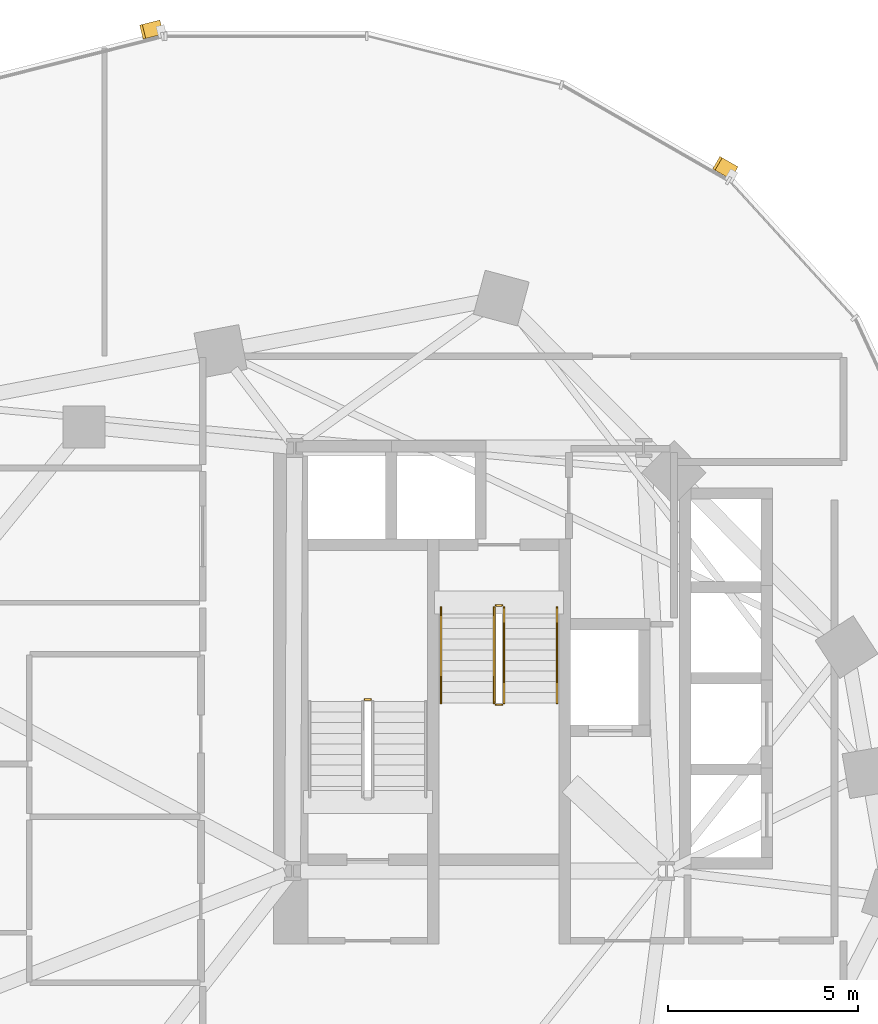
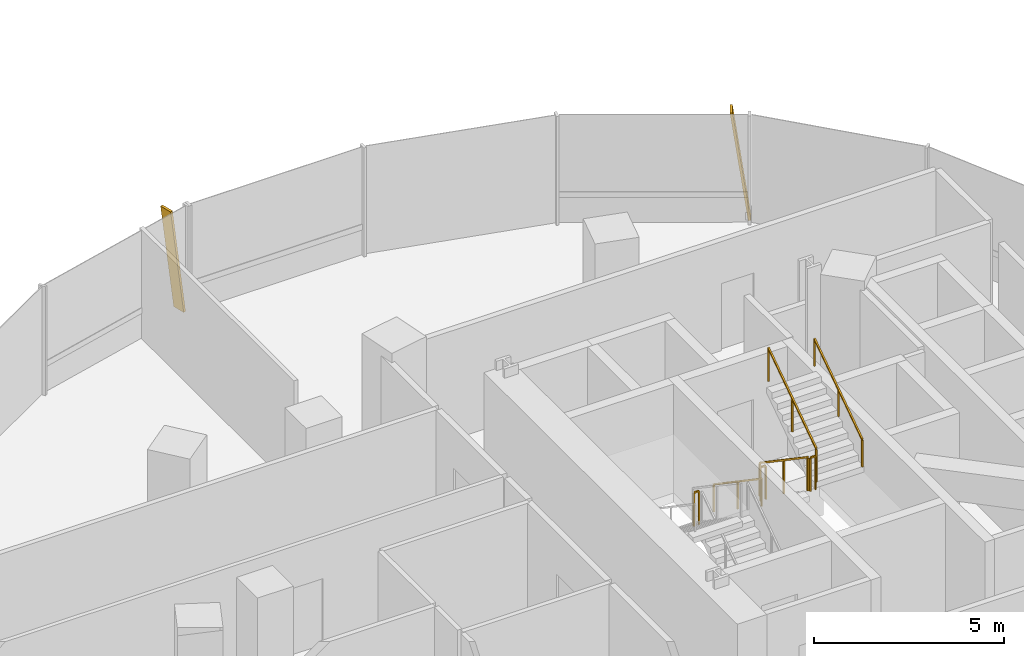
# One storey, part 19 of 21: 7 railings, 2 shading devices.
"""IFC4 building model written with IfcOpenShell, lengths in metres."""

from ifc_helpers import new_model, si_unit, direction, frame, origin, origin_2d, place, context, subcontext, project, spatial, rectangle, extrude, material, material_profile, profile_set, type_object, element, save


model = new_model("IFC4")

# Units and contexts
model_context = context("Model", 3, precision=1e-05, world=origin(), true_north=direction((0.0, 1.0)))
body_context = subcontext(model_context, "Body", "Model", "MODEL_VIEW")
ifc_project = project(units=[si_unit("LENGTHUNIT", "METRE"), si_unit("AREAUNIT", "SQUARE_METRE"), si_unit("VOLUMEUNIT", "CUBIC_METRE"), si_unit("PLANEANGLEUNIT", "RADIAN"), si_unit("MASSUNIT", "GRAM", prefix="KILO"), si_unit("THERMODYNAMICTEMPERATUREUNIT", "KELVIN"), si_unit("POWERUNIT", "WATT")], contexts=[model_context])

# Site, building, storey
site_placement = place(None, origin())
site = spatial("IfcSite", under=ifc_project, at=site_placement, CompositionType="ELEMENT")
building_placement = place(site_placement, origin())
building = spatial("IfcBuilding", under=site, at=building_placement, Name="Cundina Bronze Exchange", CompositionType="ELEMENT")
storey_placement = place(building_placement, frame((0.0, 0.0, 27.800048828125)))
storey = spatial("IfcBuildingStorey", under=building, at=storey_placement, Name="L06", CompositionType="ELEMENT", Elevation=27.800048828125)

# Railings
ifc_material_1 = material(Name="Steel ASTM A36 Painted", Category="steel")
railing_type_1 = type_object("IfcRailingType", Name="RLG-HND-900", PredefinedType="HANDRAIL", material=ifc_material_1)
railing_1_placement = place(storey_placement, frame((-27.389892578125, 10.85009765625, 0.18994140625)))
element("IfcRailing", 1, at=railing_1_placement, inside=storey, type_object=railing_type_1, Name="L06 ST-W2 stair handrail 1", PredefinedType="HANDRAIL", context=body_context, shape_type="SweptSolid", body=[
    extrude(rectangle(XDim=0.048095703125, YDim=0.048095703125, at=origin_2d()), frame((0.0, 0.0, 0.8759765625), z_axis=(0.0, -0.827483756001, 0.561489655786), x_axis=(1.0, 0.0, 0.0)), (0.0, 0.0, 1.0), 3.04541015625),
    extrude(rectangle(XDim=0.0419921875, YDim=0.0419921875, at=origin_2d()), origin(), (0.0, 0.0, 1.0), 0.851806640625),
    extrude(rectangle(XDim=0.0419921875, YDim=0.0419921875, at=origin_2d()), frame((0.0, -1.260009765625, 0.85498046875)), (0.0, 0.0, 1.0), 0.851806640625),
    extrude(rectangle(XDim=0.0419921875, YDim=0.0419921875, at=origin_2d()), frame((0.0, -2.52001953125, 1.7099609375)), (0.0, 0.0, 1.0), 0.851806640625),
])
railing_2_placement = place(storey_placement, frame((-24.330078125, 8.330078125, 2.08984375)))
element("IfcRailing", 2, at=railing_2_placement, inside=storey, type_object=railing_type_1, Name="L06 ST-W2 stair handrail 2", PredefinedType="HANDRAIL", context=body_context, shape_type="SweptSolid", body=[
    extrude(rectangle(XDim=0.048095703125, YDim=0.048095703125, at=origin_2d()), frame((0.0, 0.0, 0.8759765625), z_axis=(0.0, 0.82744650838, 0.561544544778), x_axis=(-1.0, 0.0, 0.0)), (0.0, 0.0, 1.0), 3.045654296875),
    extrude(rectangle(XDim=0.0419921875, YDim=0.0419921875, at=origin_2d()), origin(), (0.0, 0.0, 1.0), 0.851806640625),
    extrude(rectangle(XDim=0.0419921875, YDim=0.0419921875, at=origin_2d()), frame((0.0, 1.260009765625, 0.85498046875)), (0.0, 0.0, 1.0), 0.851806640625),
    extrude(rectangle(XDim=0.0419921875, YDim=0.0419921875, at=origin_2d()), frame((0.0, 2.52001953125, 1.710205078125)), (0.0, 0.0, 1.0), 0.851806640625),
])
railing_type_2 = type_object("IfcRailingType", Name="RLG-STG-1100", PredefinedType="GUARDRAIL", material=ifc_material_1)
railing_3_placement = place(storey_placement, frame((-29.239990234375, 8.419921875, 1.89990234375)))
element("IfcRailing", 3, at=railing_3_placement, inside=storey, type_object=railing_type_2, Name="L06 ST-W1 stair guard 2", PredefinedType="GUARDRAIL", context=body_context, shape_type="SweptSolid", body=[
    extrude(rectangle(XDim=0.048095703125, YDim=0.048095703125, at=origin_2d()), frame((0.0, 0.0, 1.076171875), z_axis=(-1.0, 0.0, 0.0), x_axis=(0.0, -1.0, 0.0)), (0.0, 0.0, 1.0), 0.159912109375),
    extrude(rectangle(XDim=0.0419921875, YDim=0.0419921875, at=origin_2d()), origin(), (0.0, 0.0, 1.0), 1.052001953125),
    extrude(rectangle(XDim=0.0419921875, YDim=0.0419921875, at=origin_2d()), frame((-0.159912109375, 0.0, 0.0)), (0.0, 0.0, 1.0), 1.052001953125),
])
railing_4_placement = place(storey_placement, frame((-25.989990234375, 10.85009765625, 0.18994140625)))
element("IfcRailing", 4, at=railing_4_placement, inside=storey, type_object=railing_type_2, Name="L06 ST-W2 stair guard 1", PredefinedType="GUARDRAIL", context=body_context, shape_type="SweptSolid", body=[
    extrude(rectangle(XDim=0.048095703125, YDim=0.048095703125, at=origin_2d()), frame((0.0, 0.0, 1.076171875), z_axis=(0.0, -0.827483756001, 0.561489655786), x_axis=(1.0, 0.0, 0.0)), (0.0, 0.0, 1.0), 3.04541015625),
    extrude(rectangle(XDim=0.0419921875, YDim=0.0419921875, at=origin_2d()), origin(), (0.0, 0.0, 1.0), 1.052001953125),
    extrude(rectangle(XDim=0.0419921875, YDim=0.0419921875, at=origin_2d()), frame((0.0, -1.260009765625, 0.85498046875)), (0.0, 0.0, 1.0), 1.052001953125),
    extrude(rectangle(XDim=0.0419921875, YDim=0.0419921875, at=origin_2d()), frame((0.0, -2.52001953125, 1.7099609375)), (0.0, 0.0, 1.0), 1.052001953125),
])
railing_5_placement = place(storey_placement, frame((-25.93994140625, 8.280029296875, 1.89990234375)))
element("IfcRailing", 5, at=railing_5_placement, inside=storey, type_object=railing_type_2, Name="L06 ST-W2 stair guard 2", PredefinedType="GUARDRAIL", context=body_context, shape_type="SweptSolid", body=[
    extrude(rectangle(XDim=0.048095703125, YDim=0.048095703125, at=origin_2d()), frame((0.0, 0.0, 1.076171875), z_axis=(1.0, 0.0, 0.0), x_axis=(0.0, 1.0, 0.0)), (0.0, 0.0, 1.0), 0.159912109375),
    extrude(rectangle(XDim=0.0419921875, YDim=0.0419921875, at=origin_2d()), origin(), (0.0, 0.0, 1.0), 1.052001953125),
    extrude(rectangle(XDim=0.0419921875, YDim=0.0419921875, at=origin_2d()), frame((0.159912109375, 0.0, 0.0)), (0.0, 0.0, 1.0), 1.052001953125),
])
railing_6_placement = place(storey_placement, frame((-25.72998046875, 8.330078125, 2.08984375)))
element("IfcRailing", 6, at=railing_6_placement, inside=storey, type_object=railing_type_2, Name="L06 ST-W2 stair guard 3", PredefinedType="GUARDRAIL", context=body_context, shape_type="SweptSolid", body=[
    extrude(rectangle(XDim=0.048095703125, YDim=0.048095703125, at=origin_2d()), frame((0.0, 0.0, 1.076171875), z_axis=(0.0, 0.82744650838, 0.561544544778), x_axis=(-1.0, 0.0, 0.0)), (0.0, 0.0, 1.0), 3.045654296875),
    extrude(rectangle(XDim=0.0419921875, YDim=0.0419921875, at=origin_2d()), origin(), (0.0, 0.0, 1.0), 1.052001953125),
    extrude(rectangle(XDim=0.0419921875, YDim=0.0419921875, at=origin_2d()), frame((0.0, 1.260009765625, 0.85498046875)), (0.0, 0.0, 1.0), 1.052001953125),
    extrude(rectangle(XDim=0.0419921875, YDim=0.0419921875, at=origin_2d()), frame((0.0, 2.52001953125, 1.710205078125)), (0.0, 0.0, 1.0), 1.052001953125),
])
railing_7_placement = place(storey_placement, frame((-25.93994140625, 10.89990234375, 0.0)))
element("IfcRailing", 7, at=railing_7_placement, inside=storey, type_object=railing_type_2, Name="L06 ST-W2 stair guard 4", PredefinedType="GUARDRAIL", context=body_context, shape_type="SweptSolid", body=[
    extrude(rectangle(XDim=0.048095703125, YDim=0.048095703125, at=origin_2d()), frame((0.0, 0.0, 1.076171875), z_axis=(1.0, 0.0, 0.0), x_axis=(0.0, 1.0, 0.0)), (0.0, 0.0, 1.0), 0.159912109375),
    extrude(rectangle(XDim=0.0419921875, YDim=0.0419921875, at=origin_2d()), origin(), (0.0, 0.0, 1.0), 1.052001953125),
    extrude(rectangle(XDim=0.0419921875, YDim=0.0419921875, at=origin_2d()), frame((0.159912109375, 0.0, 0.0)), (0.0, 0.0, 1.0), 1.052001953125),
])

# Shading devices
ifc_material_2 = material(Name="Anodised Bronze Aluminium 6063-T6", Category="aluminium")
ifc_material_profile = material_profile(ifc_material_2, rectangle(XDim=0.070068359375, YDim=0.3798828125, at=origin_2d()), Name="FIN70X380", Category="aluminium")
ifc_profile_set = profile_set([ifc_material_profile], Name="Anodised Bronze Aluminium 6063-T6")
shading_device_type = type_object("IfcShadingDeviceType", Name="SHD-FIN-BRZ380", PredefinedType="USERDEFINED", material=ifc_profile_set)
for number, where, z_axis, x_axis, name in (
    (8, (-19.685791015625, 22.314208984375, 0.02001953125), (-0.119166378275, 0.06842456559, 0.990513731915), (0.85898178632, -0.493221799887, 0.137413779831), "L06 Diagonal Bronze Solar Fin 5"),
    (9, (-34.787353515625, 26.138427734375, 0.02001953125), (-0.133214830938, -0.033688115694, 0.990514472221), (0.960284642503, 0.242842181368, 0.137408443412), "L06 Diagonal Bronze Solar Fin 1"),
):
    element("IfcShadingDevice", number, at=place(storey_placement, frame(where, z_axis=z_axis, x_axis=x_axis)), inside=storey, type_object=shading_device_type, Name=name, ObjectType="FIN", PredefinedType="USERDEFINED", context=body_context, shape_type="SweptSolid", body=[
        extrude(rectangle(XDim=0.070068359375, YDim=0.3798828125, at=origin_2d()), origin(), (0.0, 0.0, 1.0), 3.4931640625),
    ])

save(model, "model.ifc")
